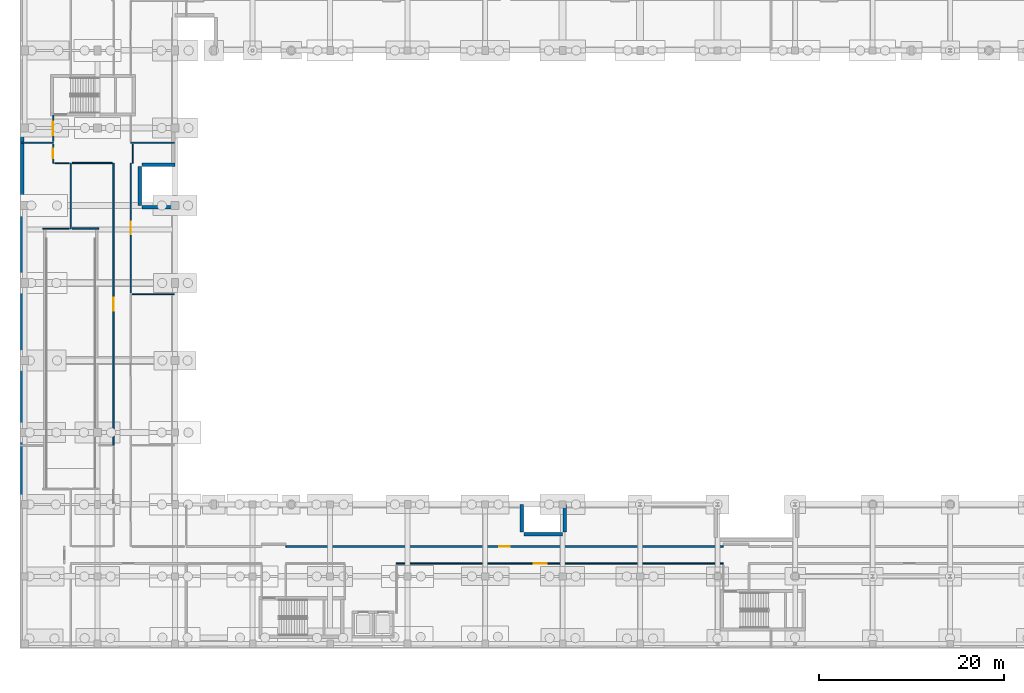
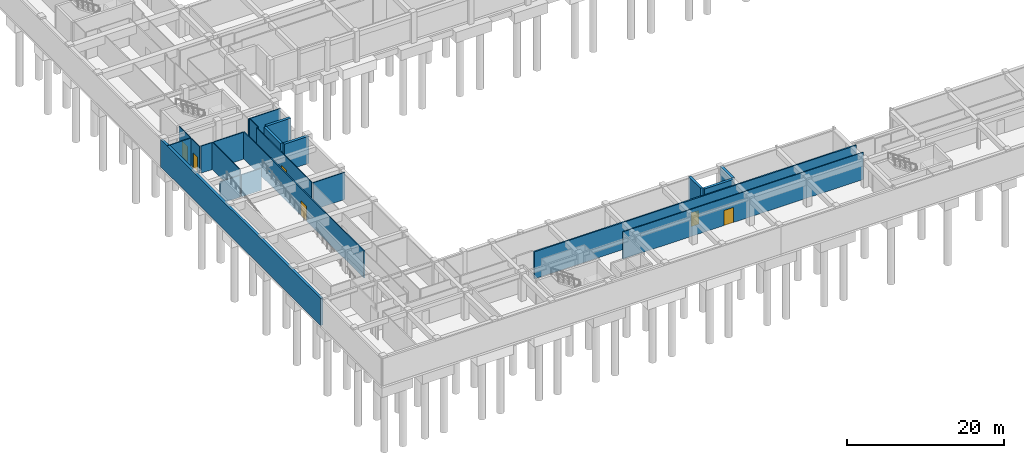
# One storey, part 26 of 42: 22 walls, 6 doors, 6 openings.
"""IFC4 building model written with IfcOpenShell, lengths in metres."""

from ifc_helpers import new_model, si_unit, direction, frame, frame_2d, origin, place, context, subcontext, project, spatial, rectangle, extrude, material, layer, layer_set, type_object, element, fill, save


model = new_model("IFC4")

# Units and contexts
model_context = context("Model", 3, precision=1e-05, world=origin(), true_north=direction((0.0, 1.0)))
body_context = subcontext(model_context, "Body", "Model", "MODEL_VIEW")
ifc_project = project(units=[si_unit("LENGTHUNIT", "METRE"), si_unit("AREAUNIT", "SQUARE_METRE"), si_unit("VOLUMEUNIT", "CUBIC_METRE"), si_unit("PLANEANGLEUNIT", "RADIAN"), si_unit("MASSUNIT", "GRAM", prefix="KILO")], contexts=[model_context])

# Site, building, storey
site_placement = place(None, origin())
site = spatial("IfcSite", under=ifc_project, at=site_placement, CompositionType="ELEMENT")
building_placement = place(site_placement, origin())
building = spatial("IfcBuilding", under=site, at=building_placement, Name="Quendrovan Civic Courthouse", CompositionType="ELEMENT")
storey_placement = place(building_placement, frame((0.0, 0.0, -4.5)))
storey = spatial("IfcBuildingStorey", under=building, at=storey_placement, Name="B1", CompositionType="ELEMENT", Elevation=-4.5)

# Walls
ifc_material_1 = material(Name="Concrete C35/45", Category="concrete")
ifc_layer_1 = layer(ifc_material_1, 0.3798828125, Name="Concrete C35/45")
ifc_layer_set_1 = layer_set([ifc_layer_1], Name="Concrete C35/45")
wall_type_1 = type_object("IfcWallType", Name="WL-BSM-RET380", PredefinedType="SOLIDWALL", material=ifc_layer_set_1)
wall_1_placement = place(storey_placement, frame((16.800048828125, 52.409912109375, 0.0), z_axis=(0.0, 0.0, 1.0), x_axis=(-1.0, 0.0, 0.0)))
element("IfcWall", 1, at=wall_1_placement, inside=storey, type_object=wall_type_1, Name="B1 Perimeter Retaining Wall 028", PredefinedType="SOLIDWALL", context=body_context, shape_type="SweptSolid", body=[
    extrude(rectangle(XDim=3.60009765625, YDim=0.3798828125, at=frame_2d((1.800048828125, 0.0))), origin(), (0.0, 0.0, 1.0), 4.219970703125),
])
wall_2_placement = place(storey_placement, frame((12.989990234375, 52.199951171875, 0.0), z_axis=(0.0, 0.0, 1.0), x_axis=(0.0, -1.0, 0.0)))
element("IfcWall", 2, at=wall_2_placement, inside=storey, type_object=wall_type_1, Name="B1 Perimeter Retaining Wall 029", PredefinedType="SOLIDWALL", context=body_context, shape_type="SweptSolid", body=[
    extrude(rectangle(XDim=4.199951171875, YDim=0.3798828125, at=frame_2d((2.10009765625, 0.0))), origin(), (0.0, 0.0, 1.0), 4.219970703125),
])
wall_3_placement = place(storey_placement, frame((13.199951171875, 47.7900390625, 0.0), z_axis=(0.0, 0.0, 1.0), x_axis=(1.0, 0.0, 0.0)))
element("IfcWall", 3, at=wall_3_placement, inside=storey, type_object=wall_type_1, Name="B1 Perimeter Retaining Wall 030", PredefinedType="SOLIDWALL", context=body_context, shape_type="SweptSolid", body=[
    extrude(rectangle(XDim=3.60009765625, YDim=0.3798828125, at=frame_2d((1.800048828125, 0.0))), origin(), (0.0, 0.0, 1.0), 4.219970703125),
])
wall_4_placement = place(storey_placement, frame((54.389892578125, 15.60009765625, 0.0), z_axis=(0.0, 0.0, 1.0), x_axis=(0.0, -1.0, 0.0)))
element("IfcWall", 4, at=wall_4_placement, inside=storey, type_object=wall_type_1, Name="B1 Perimeter Retaining Wall 033", PredefinedType="SOLIDWALL", context=body_context, shape_type="SweptSolid", body=[
    extrude(rectangle(XDim=3.0, YDim=0.3798828125, at=frame_2d((1.5, 0.0))), origin(), (0.0, 0.0, 1.0), 4.219970703125),
])
wall_5_placement = place(storey_placement, frame((54.60009765625, 12.389892578125, 0.0), z_axis=(0.0, 0.0, 1.0), x_axis=(1.0, 0.0, 0.0)))
element("IfcWall", 5, at=wall_5_placement, inside=storey, type_object=wall_type_1, Name="B1 Perimeter Retaining Wall 034", PredefinedType="SOLIDWALL", context=body_context, shape_type="SweptSolid", body=[
    extrude(rectangle(XDim=4.199951171875, YDim=0.3798828125, at=frame_2d((2.10009765625, 0.0))), origin(), (0.0, 0.0, 1.0), 4.219970703125),
])
wall_6_placement = place(storey_placement, frame((59.010009765625, 12.60009765625, 0.0), z_axis=(0.0, 0.0, 1.0), x_axis=(0.0, 1.0, 0.0)))
element("IfcWall", 6, at=wall_6_placement, inside=storey, type_object=wall_type_1, Name="B1 Perimeter Retaining Wall 035", PredefinedType="SOLIDWALL", context=body_context, shape_type="SweptSolid", body=[
    extrude(rectangle(XDim=3.0, YDim=0.3798828125, at=frame_2d((1.5, 0.0))), origin(), (0.0, 0.0, 1.0), 4.219970703125),
])
wall_7_placement = place(storey_placement, frame((0.219970703125, 15.60009765625, 0.0), z_axis=(0.0, 0.0, 1.0), x_axis=(0.0, 1.0, 0.0)))
element("IfcWall", 7, at=wall_7_placement, inside=storey, type_object=wall_type_1, Name="B1 Perimeter Retaining Wall 045", PredefinedType="SOLIDWALL", context=body_context, shape_type="SweptSolid", body=[
    extrude(rectangle(XDim=40.7998046875, YDim=0.3798828125, at=frame_2d((20.39990234375, 0.0))), origin(), (0.0, 0.0, 1.0), 4.219970703125),
])

# Wall, opening, door
ifc_material_2 = material(Name="Concrete C40/50", Category="concrete")
ifc_layer_2 = layer(ifc_material_2, 0.199951171875, Name="Concrete C40/50")
ifc_layer_set_2 = layer_set([ifc_layer_2], Name="Concrete C40/50")
wall_type_2 = type_object("IfcWallType", Name="WL-CUST-200", PredefinedType="PARTITIONING", material=ifc_layer_set_2)
wall_8_placement = place(storey_placement, frame((76.199951171875, 11.050048828125, 0.0), z_axis=(0.0, 0.0, 1.0), x_axis=(-1.0, 0.0, 0.0)))
wall_8 = element("IfcWall", 8, at=wall_8_placement, inside=storey, type_object=wall_type_2, Name="B1 Basement Custody Holding Suite 3 Partition 0001", PredefinedType="PARTITIONING", context=body_context, shape_type="SweptSolid", body=[
    extrude(rectangle(XDim=47.39990234375, YDim=0.199951171875, at=frame_2d((23.699951171875, 0.0))), origin(), (0.0, 0.0, 1.0), 4.219970703125),
])
opening_1_placement = place(wall_8_placement, frame((23.139892578125, 0.0, 0.0)))
opening_1 = element("IfcOpeningElement", 9, at=opening_1_placement, cuts=wall_8, Name="Opening D-B1-009", PredefinedType="OPENING", context=body_context, shape_type="SweptSolid", body=[
    extrude(rectangle(XDim=1.1201171875, YDim=2.14990234375, at=frame_2d((0.56005859375, 1.074951171875))), frame((0.0, 0.10986328125, 0.0), z_axis=(0.0, -1.0, 0.0), x_axis=(1.0, 0.0, 0.0)), (0.0, 0.0, 1.0), 0.219970703125),
])
ifc_material_3 = material(Name="Heavy-gauge security steel door", Category="steel")
door_type_1 = type_object("IfcDoorType", Name="DR-CUST-1120", OperationType="NOTDEFINED", PredefinedType="DOOR", material=ifc_material_3)
door_1_placement = place(opening_1_placement, origin())
door_1 = element("IfcDoor", 10, at=door_1_placement, inside=storey, type_object=door_type_1, Name="B1 Basement Custody Holding Suite 3 Door D-B1-009", OperationType="SINGLE_SWING_RIGHT", OverallHeight=2.14990234375, OverallWidth=1.1201171875, PredefinedType="DOOR", context=body_context, shape_type="SweptSolid", body=[
    extrude(rectangle(XDim=1.1201171875, YDim=2.14990234375, at=frame_2d((0.56005859375, 1.074951171875))), frame((0.0, 0.02490234375, 0.0), z_axis=(0.0, -1.0, 0.0), x_axis=(1.0, 0.0, 0.0)), (0.0, 0.0, 1.0), 0.050048828125),
])
fill(opening_1, door_1)

ifc_material_4 = material(Name="Acoustic gypsum stud partition")
ifc_layer_3 = layer(ifc_material_4, 0.14990234375, Name="Acoustic gypsum stud partition")
ifc_layer_set_3 = layer_set([ifc_layer_3], Name="Acoustic gypsum stud partition")
wall_type_3 = type_object("IfcWallType", Name="WL-JURY-150", PredefinedType="PARTITIONING", material=ifc_layer_set_3)
wall_9_placement = place(storey_placement, frame((10.14990234375, 52.60009765625, 0.0), z_axis=(0.0, 0.0, 1.0), x_axis=(0.0, -1.0, 0.0)))
wall_9 = element("IfcWall", 11, at=wall_9_placement, inside=storey, type_object=wall_type_3, Name="B1 Rainwater Cistern and Water Treatment Room 1 Partition 0007", PredefinedType="PARTITIONING", context=body_context, shape_type="SweptSolid", body=[
    extrude(rectangle(XDim=30.60009765625, YDim=0.14990234375, at=frame_2d((15.300048828125, 0.0))), origin(), (0.0, 0.0, 1.0), 4.219970703125),
])
opening_2_placement = place(wall_9_placement, frame((14.580078125, 0.0, 0.0)))
opening_2 = element("IfcOpeningElement", 12, at=opening_2_placement, cuts=wall_9, Name="Opening D-B1-011", PredefinedType="OPENING", context=body_context, shape_type="SweptSolid", body=[
    extrude(rectangle(XDim=1.43994140625, YDim=2.340087890625, at=frame_2d((0.719970703125, 1.169921875))), frame((0.0, 0.0849609375, 0.0), z_axis=(0.0, -1.0, 0.0), x_axis=(1.0, 0.0, 0.0)), (0.0, 0.0, 1.0), 0.169921875),
])
ifc_material_5 = material(Name="Louvred fire-rated steel plant door", Category="steel")
door_type_2 = type_object("IfcDoorType", Name="DR-PLT-1440", OperationType="NOTDEFINED", PredefinedType="DOOR", material=ifc_material_5)
door_2_placement = place(opening_2_placement, origin())
door_2 = element("IfcDoor", 13, at=door_2_placement, inside=storey, type_object=door_type_2, Name="B1 Rainwater Cistern and Water Treatment Room 1 Door D-B1-011", OperationType="SINGLE_SWING_RIGHT", OverallHeight=2.340087890625, OverallWidth=1.43994140625, PredefinedType="DOOR", context=body_context, shape_type="SweptSolid", body=[
    extrude(rectangle(XDim=1.43994140625, YDim=2.340087890625, at=frame_2d((0.719970703125, 1.169921875))), frame((0.0, 0.02490234375, 0.0), z_axis=(0.0, -1.0, 0.0), x_axis=(1.0, 0.0, 0.0)), (0.0, 0.0, 1.0), 0.050048828125),
])
fill(opening_2, door_2)

# Walls
wall_10_placement = place(storey_placement, frame((5.639892578125, 52.60009765625, 0.0), z_axis=(0.0, 0.0, 1.0), x_axis=(1.0, 0.0, 0.0)))
element("IfcWall", 14, at=wall_10_placement, inside=storey, type_object=wall_type_3, Name="B1 Rainwater Cistern and Water Treatment Room 1 Partition 0078", PredefinedType="PARTITIONING", context=body_context, shape_type="SweptSolid", body=[
    extrude(rectangle(XDim=4.355224609375, YDim=0.14990234375, at=frame_2d((2.177734375, 0.0))), origin(), (0.0, 0.0, 1.0), 4.219970703125),
])
wall_11_placement = place(storey_placement, frame((8.52001953125, 45.5, 0.0), z_axis=(0.0, 0.0, 1.0), x_axis=(-1.0, 0.0, 0.0)))
element("IfcWall", 15, at=wall_11_placement, inside=storey, type_object=wall_type_3, Name="B1 Rainwater Cistern and Water Treatment Room 1 Partition 0099", PredefinedType="PARTITIONING", context=body_context, shape_type="SweptSolid", body=[
    extrude(rectangle(XDim=2.880126953125, YDim=0.14990234375, at=frame_2d((1.43994140625, 0.0))), origin(), (0.0, 0.0, 1.0), 3.419921875),
])

# Wall, opening, door
ifc_material_6 = material(Name="Acoustic glazed-head stud partition")
ifc_layer_4 = layer(ifc_material_6, 0.1201171875, Name="Acoustic glazed-head stud partition")
ifc_layer_set_4 = layer_set([ifc_layer_4], Name="Acoustic glazed-head stud partition")
wall_type_4 = type_object("IfcWallType", Name="WL-LIB-120", PredefinedType="PARTITIONING", material=ifc_layer_set_4)
wall_12_placement = place(storey_placement, frame((12.0, 38.5400390625, 0.0), z_axis=(0.0, 0.0, 1.0), x_axis=(0.0, 1.0, 0.0)))
wall_12 = element("IfcWall", 16, at=wall_12_placement, inside=storey, type_object=wall_type_4, Name="B1 Judicial Legal Evidence Archive 2 Partition 0034", PredefinedType="PARTITIONING", context=body_context, shape_type="SweptSolid", body=[
    extrude(rectangle(XDim=14.06005859375, YDim=0.1201171875, at=frame_2d((7.030029296875, 0.0))), origin(), (0.0, 0.0, 1.0), 4.219970703125),
])
opening_3_placement = place(wall_12_placement, frame((6.3701171875, 0.0, 0.0)))
opening_3 = element("IfcOpeningElement", 17, at=opening_3_placement, cuts=wall_12, Name="Opening D-B1-013", PredefinedType="OPENING", context=body_context, shape_type="SweptSolid", body=[
    extrude(rectangle(XDim=1.320068359375, YDim=2.239990234375, at=frame_2d((0.66015625, 1.1201171875))), frame((0.0, 0.070068359375, 0.0), z_axis=(0.0, -1.0, 0.0), x_axis=(1.0, 0.0, 0.0)), (0.0, 0.0, 1.0), 0.14013671875),
])
ifc_material_7 = material(Name="Painted fire-rated steel archive door", Category="steel")
door_type_3 = type_object("IfcDoorType", Name="DR-ARC-1320", OperationType="NOTDEFINED", PredefinedType="DOOR", material=ifc_material_7)
door_3_placement = place(opening_3_placement, origin())
door_3 = element("IfcDoor", 18, at=door_3_placement, inside=storey, type_object=door_type_3, Name="B1 Judicial Legal Evidence Archive 2 Door D-B1-013", OperationType="SINGLE_SWING_RIGHT", OverallHeight=2.239990234375, OverallWidth=1.320068359375, PredefinedType="DOOR", context=body_context, shape_type="SweptSolid", body=[
    extrude(rectangle(XDim=1.320068359375, YDim=2.239990234375, at=frame_2d((0.66015625, 1.1201171875))), frame((0.0, 0.02490234375, 0.0), z_axis=(0.0, -1.0, 0.0), x_axis=(1.0, 0.0, 0.0)), (0.0, 0.0, 1.0), 0.050048828125),
])
fill(opening_3, door_3)

# Walls
wall_13_placement = place(storey_placement, frame((5.5, 52.60009765625, 0.0), z_axis=(0.0, 0.0, 1.0), x_axis=(0.0, -1.0, 0.0)))
element("IfcWall", 19, at=wall_13_placement, inside=storey, type_object=wall_type_4, Name="B1 Basement Legal Evidence Archive Store 1 Partition 0056", PredefinedType="PARTITIONING", context=body_context, shape_type="SweptSolid", body=[
    extrude(rectangle(XDim=7.10009765625, YDim=0.1201171875, at=frame_2d((3.550048828125, 0.0))), origin(), (0.0, 0.0, 1.0), 4.219970703125),
])
wall_14_placement = place(storey_placement, frame((12.139892578125, 38.39990234375, 0.0), z_axis=(0.0, 0.0, 1.0), x_axis=(1.0, 0.0, 0.0)))
element("IfcWall", 20, at=wall_14_placement, inside=storey, type_object=wall_type_4, Name="B1 Basement Legal Evidence Archive Store 2 Partition 0072", PredefinedType="PARTITIONING", context=body_context, shape_type="SweptSolid", body=[
    extrude(rectangle(XDim=4.60009765625, YDim=0.1201171875, at=frame_2d((2.300048828125, 0.0))), origin(), (0.0, 0.0, 1.0), 4.219970703125),
])
wall_15_placement = place(storey_placement, frame((0.06005859375, 54.800048828125, 0.0), z_axis=(0.0, 0.0, 1.0), x_axis=(1.0, 0.0, 0.0)))
element("IfcWall", 21, at=wall_15_placement, inside=storey, type_object=wall_type_4, Name="B1 Basement Legal Evidence Archive Store 1 Partition 0091", PredefinedType="PARTITIONING", context=body_context, shape_type="SweptSolid", body=[
    extrude(rectangle(XDim=3.5400390625, YDim=0.1201171875, at=frame_2d((1.77001953125, 0.0))), origin(), (0.0, 0.0, 1.0), 4.219970703125),
])
wall_16_placement = place(storey_placement, frame((5.360107421875, 45.5, 0.0), z_axis=(0.0, 0.0, 1.0), x_axis=(-1.0, 0.0, 0.0)))
element("IfcWall", 22, at=wall_16_placement, inside=storey, type_object=wall_type_4, Name="B1 Basement Legal Evidence Archive Store 1 Partition 0097", PredefinedType="PARTITIONING", context=body_context, shape_type="SweptSolid", body=[
    extrude(rectangle(XDim=2.880126953125, YDim=0.1201171875, at=frame_2d((1.43994140625, 0.0))), origin(), (0.0, 0.0, 1.0), 3.419921875),
])

# Wall, opening, door
wall_17_placement = place(storey_placement, frame((3.60009765625, 57.780029296875, 0.0), z_axis=(0.0, 0.0, 1.0), x_axis=(0.0, -1.0, 0.0)))
wall_17 = element("IfcWall", 23, at=wall_17_placement, inside=storey, type_object=wall_type_4, Name="B1 Rainwater Cistern and Water Treatment Room 2 Partition 0102", PredefinedType="PARTITIONING", context=body_context, shape_type="SweptSolid", body=[
    extrude(rectangle(XDim=2.840087890625, YDim=0.1201171875, at=frame_2d((1.419921875, 0.0))), origin(), (0.0, 0.0, 1.0), 4.219970703125),
])
opening_4_placement = place(wall_17_placement, frame((0.699951171875, 0.0, 0.0)))
opening_4 = element("IfcOpeningElement", 24, at=opening_4_placement, cuts=wall_17, Name="Opening D-B1-014", PredefinedType="OPENING", context=body_context, shape_type="SweptSolid", body=[
    extrude(rectangle(XDim=1.43994140625, YDim=2.340087890625, at=frame_2d((0.719970703125, 1.169921875))), frame((0.0, 0.070068359375, 0.0), z_axis=(0.0, -1.0, 0.0), x_axis=(1.0, 0.0, 0.0)), (0.0, 0.0, 1.0), 0.14013671875),
])
door_4_placement = place(opening_4_placement, origin())
door_4 = element("IfcDoor", 25, at=door_4_placement, inside=storey, type_object=door_type_2, Name="B1 Rainwater Cistern and Water Treatment Room 2 Door D-B1-014", OperationType="SINGLE_SWING_LEFT", OverallHeight=2.340087890625, OverallWidth=1.43994140625, PredefinedType="DOOR", context=body_context, shape_type="SweptSolid", body=[
    extrude(rectangle(XDim=1.43994140625, YDim=2.340087890625, at=frame_2d((0.719970703125, 1.169921875))), frame((0.0, 0.02490234375, 0.0), z_axis=(0.0, -1.0, 0.0), x_axis=(1.0, 0.0, 0.0)), (0.0, 0.0, 1.0), 0.050048828125),
])
fill(opening_4, door_4)

wall_18_placement = place(storey_placement, frame((3.60009765625, 54.659912109375, 0.0), z_axis=(0.0, 0.0, 1.0), x_axis=(0.0, -1.0, 0.0)))
wall_18 = element("IfcWall", 26, at=wall_18_placement, inside=storey, type_object=wall_type_4, Name="B1 Basement Legal Evidence Archive Store 1 Partition 0124", PredefinedType="PARTITIONING", context=body_context, shape_type="SweptSolid", body=[
    extrude(rectangle(XDim=2.059814453125, YDim=0.1201171875, at=frame_2d((1.02978515625, 0.0))), origin(), (0.0, 0.0, 1.0), 4.219970703125),
])
opening_5_placement = place(wall_18_placement, frame((0.510009765625, 0.0, 0.0)))
opening_5 = element("IfcOpeningElement", 27, at=opening_5_placement, cuts=wall_18, Name="Opening D-B1-010", PredefinedType="OPENING", context=body_context, shape_type="SweptSolid", body=[
    extrude(rectangle(XDim=1.0400390625, YDim=2.260009765625, at=frame_2d((0.52001953125, 1.1298828125))), frame((0.0, 0.070068359375, 0.0), z_axis=(0.0, -1.0, 0.0), x_axis=(1.0, 0.0, 0.0)), (0.0, 0.0, 1.0), 0.14013671875),
])
ifc_material_8 = material(Name="Solid Western Red Cedar timber door", Category="wood")
door_type_4 = type_object("IfcDoorType", Name="DR-CHM-1040", OperationType="NOTDEFINED", PredefinedType="DOOR", material=ifc_material_8)
door_5_placement = place(opening_5_placement, origin())
door_5 = element("IfcDoor", 28, at=door_5_placement, inside=storey, type_object=door_type_4, Name="B1 Basement Legal Evidence Archive Store 1 Door D-B1-010", OperationType="SINGLE_SWING_LEFT", OverallHeight=2.260009765625, OverallWidth=1.0400390625, PredefinedType="DOOR", context=body_context, shape_type="SweptSolid", body=[
    extrude(rectangle(XDim=1.0400390625, YDim=2.260009765625, at=frame_2d((0.52001953125, 1.1298828125))), frame((0.0, 0.02490234375, 0.0), z_axis=(0.0, -1.0, 0.0), x_axis=(1.0, 0.0, 0.0)), (0.0, 0.0, 1.0), 0.050048828125),
])
fill(opening_5, door_5)

# Walls
wall_19_placement = place(storey_placement, frame((12.199951171875, 52.60009765625, 0.0), z_axis=(0.0, 0.0, 1.0), x_axis=(0.0, 1.0, 0.0)))
element("IfcWall", 29, at=wall_19_placement, inside=storey, type_object=wall_type_4, Name="B1 Judicial Legal Evidence Archive 2 Partition 0125", PredefinedType="PARTITIONING", context=body_context, shape_type="SweptSolid", body=[
    extrude(rectangle(XDim=2.06494140625, YDim=0.1201171875, at=frame_2d((1.032470703125, 0.0))), origin(), (0.0, 0.0, 1.0), 4.219970703125),
])
wall_20_placement = place(storey_placement, frame((3.739990234375, 52.60009765625, 0.0), z_axis=(0.0, 0.0, 1.0), x_axis=(1.0, 0.0, 0.0)))
element("IfcWall", 30, at=wall_20_placement, inside=storey, type_object=wall_type_4, Name="B1 Basement Legal Evidence Archive Store 1 Partition 0138", PredefinedType="PARTITIONING", context=body_context, shape_type="SweptSolid", body=[
    extrude(rectangle(XDim=1.6201171875, YDim=0.1201171875, at=frame_2d((0.81005859375, 0.0))), origin(), (0.0, 0.0, 1.0), 4.219970703125),
])

# Wall, opening, door
ifc_material_9 = material(Name="Gypsum stud partition")
ifc_layer_5 = layer(ifc_material_9, 0.1298828125, Name="Gypsum stud partition")
ifc_layer_set_5 = layer_set([ifc_layer_5], Name="Gypsum stud partition")
wall_type_5 = type_object("IfcWallType", Name="WL-REG-130", PredefinedType="PARTITIONING", material=ifc_layer_set_5)
wall_21_placement = place(storey_placement, frame((40.800048828125, 9.199951171875, 0.0), z_axis=(0.0, 0.0, 1.0), x_axis=(1.0, 0.0, 0.0)))
wall_21 = element("IfcWall", 31, at=wall_21_placement, inside=storey, type_object=wall_type_5, Name="B1 Basement Judicial Car Park 2 Partition 0002", PredefinedType="PARTITIONING", context=body_context, shape_type="SweptSolid", body=[
    extrude(rectangle(XDim=35.39990234375, YDim=0.1298828125, at=frame_2d((17.699951171875, 0.0))), origin(), (0.0, 0.0, 1.0), 4.219970703125),
])
opening_6_placement = place(wall_21_placement, frame((14.85595703125, 0.0, 0.0)))
opening_6 = element("IfcOpeningElement", 32, at=opening_6_placement, cuts=wall_21, Name="Opening D-B1-005", PredefinedType="OPENING", context=body_context, shape_type="SweptSolid", body=[
    extrude(rectangle(XDim=1.43994140625, YDim=2.340087890625, at=frame_2d((0.719970703125, 1.169921875))), frame((0.0, 0.074951171875, 0.0), z_axis=(0.0, -1.0, 0.0), x_axis=(1.0, 0.0, 0.0)), (0.0, 0.0, 1.0), 0.14990234375),
])
door_6_placement = place(opening_6_placement, origin())
door_6 = element("IfcDoor", 33, at=door_6_placement, inside=storey, type_object=door_type_2, Name="B1 Basement Judicial Car Park 2 Door D-B1-005", OperationType="SINGLE_SWING_RIGHT", OverallHeight=2.340087890625, OverallWidth=1.43994140625, PredefinedType="DOOR", context=body_context, shape_type="SweptSolid", body=[
    extrude(rectangle(XDim=1.43994140625, YDim=2.340087890625, at=frame_2d((0.719970703125, 1.169921875))), frame((0.0, 0.02490234375, 0.0), z_axis=(0.0, -1.0, 0.0), x_axis=(1.0, 0.0, 0.0)), (0.0, 0.0, 1.0), 0.050048828125),
])
fill(opening_6, door_6)

# Wall
ifc_material_10 = material(Name="Moisture-resistant tile-backer partition")
ifc_layer_6 = layer(ifc_material_10, 0.110107421875, Name="Moisture-resistant tile-backer partition")
ifc_layer_set_6 = layer_set([ifc_layer_6], Name="Moisture-resistant tile-backer partition")
wall_type_6 = type_object("IfcWallType", Name="WL-WET-110", PredefinedType="PARTITIONING", material=ifc_layer_set_6)
wall_22_placement = place(storey_placement, frame((16.739990234375, 54.800048828125, 0.0), z_axis=(0.0, 0.0, 1.0), x_axis=(-1.0, 0.0, 0.0)))
element("IfcWall", 34, at=wall_22_placement, inside=storey, type_object=wall_type_6, Name="B1 Rainwater Cistern and Water Treatment Room 3 Partition 0073", PredefinedType="PARTITIONING", context=body_context, shape_type="SweptSolid", body=[
    extrude(rectangle(XDim=4.739990234375, YDim=0.110107421875, at=frame_2d((2.3701171875, 0.0))), origin(), (0.0, 0.0, 1.0), 4.219970703125),
])

save(model, "model.ifc")
